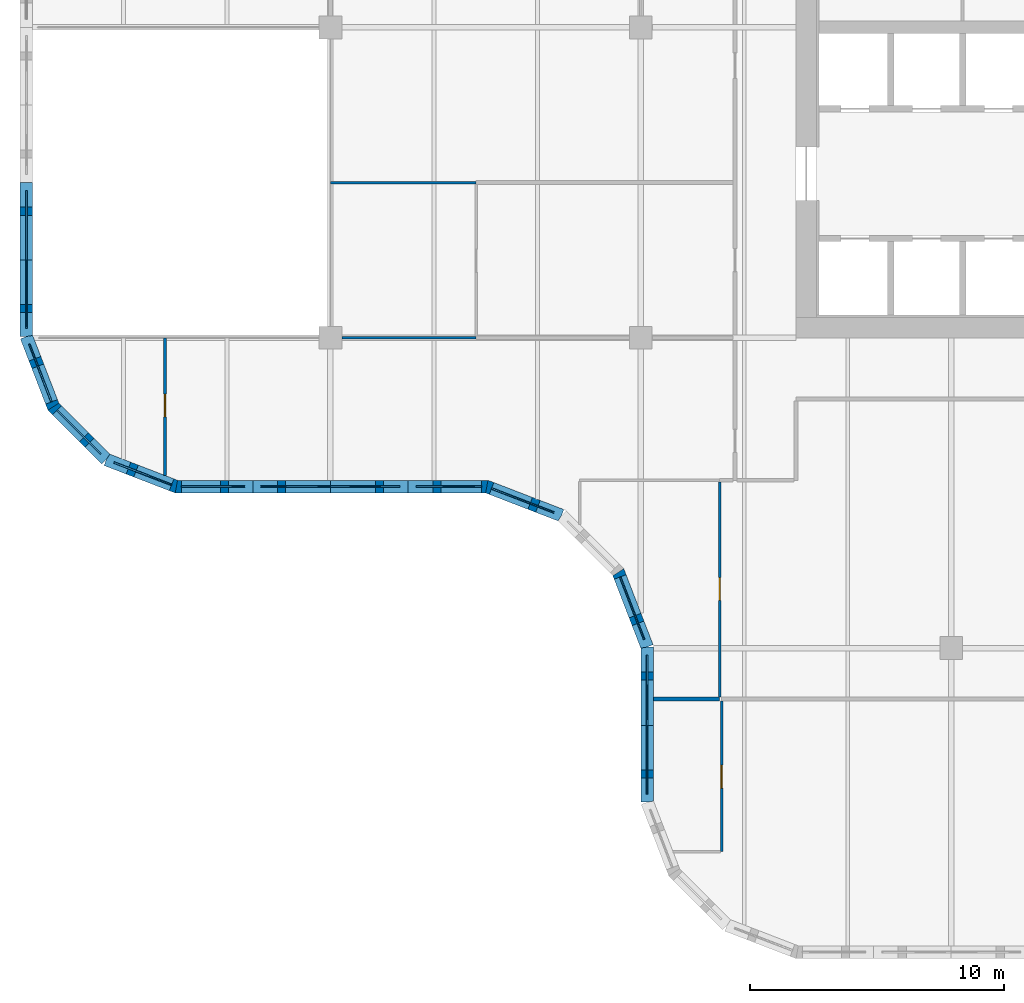
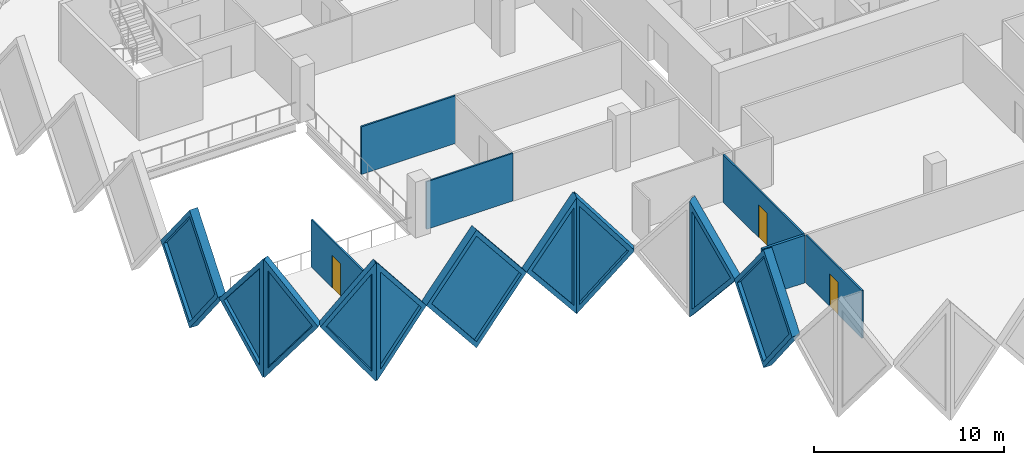
# One storey, part 4 of 19: 16 walls, 10 plates, 3 doors, 13 openings.
"""IFC4 building model written with IfcOpenShell, lengths in metres."""

from ifc_helpers import new_model, si_unit, direction, frame, frame_2d, origin, place, context, subcontext, project, spatial, polyline, rectangle, outline, extrude, faceted_brep, source, transform, mapped, material, layer, layer_set, type_object, element, fill, save


model = new_model("IFC4")

# Units and contexts
model_context = context("Model", 3, precision=1e-05, world=origin(), true_north=direction((0.0, 1.0)))
body_context = subcontext(model_context, "Body", "Model", "MODEL_VIEW")
ifc_project = project(units=[si_unit("LENGTHUNIT", "METRE"), si_unit("AREAUNIT", "SQUARE_METRE"), si_unit("VOLUMEUNIT", "CUBIC_METRE"), si_unit("PLANEANGLEUNIT", "RADIAN"), si_unit("MASSUNIT", "GRAM", prefix="KILO")], contexts=[model_context])

# Site, building, storey
site_placement = place(None, origin())
site = spatial("IfcSite", under=ifc_project, at=site_placement, CompositionType="ELEMENT")
building_placement = place(site_placement, origin())
building = spatial("IfcBuilding", under=site, at=building_placement, Name="Tessera Gate Towers", CompositionType="ELEMENT")
storey_placement = place(building_placement, frame((0.0, 0.0, 83.800048828125)))
storey = spatial("IfcBuildingStorey", under=building, at=storey_placement, Name="L20", CompositionType="ELEMENT", Elevation=83.800048828125)

# Wall, opening, door
ifc_material_1 = material(Name="Glass", Category="glass")
ifc_layer_1 = layer(ifc_material_1, 0.10009765625)
ifc_layer_set_1 = layer_set([ifc_layer_1], Name="GLAZED PARTITION 100")
wall_type_1 = type_object("IfcWallType", Name="GLAZED PARTITION 100", PredefinedType="PARTITIONING", material=ifc_layer_set_1)
wall_1_placement = place(storey_placement, frame((27.574951171875, 4.199951171875, 0.0), z_axis=(0.0, 0.0, 1.0), x_axis=(0.0, 1.0, 0.0)))
wall_1 = element("IfcWall", 1, at=wall_1_placement, inside=storey, type_object=wall_type_1, Name="T1-L20-PW-004", PredefinedType="PARTITIONING", context=body_context, shape_type="SweptSolid", body=[
    extrude(rectangle(XDim=5.924072265625, YDim=0.10009765625, at=frame_2d((2.9619140625, 0.0))), origin(), (0.0, 0.0, 1.0), 3.06689453125),
])
shared_shape_1 = source(origin(), body_context, "Body", "SweptSolid", [
    extrude(rectangle(XDim=0.89990234375, YDim=2.10009765625, at=frame_2d((0.449951171875, 1.050048828125))), frame((0.0, 0.06005859375, 0.0), z_axis=(0.0, -1.0, 0.0), x_axis=(1.0, 0.0, 0.0)), (0.0, 0.0, 1.0), 0.1201171875),
])
opening_1_placement = place(wall_1_placement, frame((2.5, 0.0, 0.0)))
opening_1 = element("IfcOpeningElement", 2, at=opening_1_placement, cuts=wall_1, Name="Opening D690-A07-07", PredefinedType="OPENING", context=body_context, shape_type="MappedRepresentation", body=[
    mapped(shared_shape_1, transform((0.0, 0.0, 0.0), scale=1.0)),
])
ifc_material_2 = material(Name="Glass in aluminium frame", Category="aluminium")
door_type = type_object("IfcDoorType", Name="GLAZED DOOR 900 NOT RATED", OperationType="NOTDEFINED", PredefinedType="DOOR", material=ifc_material_2)
shared_shape_2 = source(origin(), body_context, "Body", "SweptSolid", [
    extrude(rectangle(XDim=0.89990234375, YDim=2.10009765625, at=frame_2d((0.449951171875, 1.050048828125))), frame((0.0, 0.02490234375, 0.0), z_axis=(0.0, -1.0, 0.0), x_axis=(1.0, 0.0, 0.0)), (0.0, 0.0, 1.0), 0.050048828125),
])
door_1_placement = place(opening_1_placement, origin())
door_1 = element("IfcDoor", 3, at=door_1_placement, inside=storey, type_object=door_type, Name="T1-L20-PD-017", OperationType="SINGLE_SWING_LEFT", OverallHeight=2.10009765625, OverallWidth=0.89990234375, PredefinedType="DOOR", context=body_context, shape_type="MappedRepresentation", body=[
    mapped(shared_shape_2, transform((0.0, 0.0, 0.0), scale=1.0)),
])
fill(opening_1, door_1)

wall_2_placement = place(storey_placement, frame((27.5, 10.27587890625, 0.0), z_axis=(0.0, 0.0, 1.0), x_axis=(0.0, 1.0, 0.0)))
wall_2 = element("IfcWall", 4, at=wall_2_placement, inside=storey, type_object=wall_type_1, Name="T1-L20-PW-010", PredefinedType="PARTITIONING", context=body_context, shape_type="SweptSolid", body=[
    extrude(rectangle(XDim=8.4482421875, YDim=0.10009765625, at=frame_2d((4.22412109375, 0.0))), origin(), (0.0, 0.0, 1.0), 3.06689453125),
])
opening_2_placement = place(wall_2_placement, frame((3.800048828125, 0.0, 0.0)))
opening_2 = element("IfcOpeningElement", 5, at=opening_2_placement, cuts=wall_2, Name="Opening D690-A07-08", PredefinedType="OPENING", context=body_context, shape_type="MappedRepresentation", body=[
    mapped(shared_shape_1, transform((0.0, 0.0, 0.0), scale=1.0)),
])
door_2_placement = place(opening_2_placement, origin())
door_2 = element("IfcDoor", 6, at=door_2_placement, inside=storey, type_object=door_type, Name="T1-L20-PD-019", OperationType="SINGLE_SWING_LEFT", OverallHeight=2.10009765625, OverallWidth=0.89990234375, PredefinedType="DOOR", context=body_context, shape_type="MappedRepresentation", body=[
    mapped(shared_shape_2, transform((0.0, 0.0, 0.0), scale=1.0)),
])
fill(opening_2, door_2)

wall_3_placement = place(storey_placement, frame((5.699951171875, 18.990234375, 0.0), z_axis=(0.0, 0.0, 1.0), x_axis=(0.0, 1.0, 0.0)))
wall_3 = element("IfcWall", 7, at=wall_3_placement, inside=storey, type_object=wall_type_1, Name="T1-L20-PW-021", PredefinedType="PARTITIONING", context=body_context, shape_type="SweptSolid", body=[
    extrude(rectangle(XDim=5.40966796875, YDim=0.10009765625, at=frame_2d((2.704833984375, 0.0))), origin(), (0.0, 0.0, 1.0), 3.06689453125),
])
opening_3_placement = place(wall_3_placement, frame((2.300048828125, 0.0, 0.0)))
opening_3 = element("IfcOpeningElement", 8, at=opening_3_placement, cuts=wall_3, Name="Opening D690-A07-02", PredefinedType="OPENING", context=body_context, shape_type="MappedRepresentation", body=[
    mapped(shared_shape_1, transform((0.0, 0.0, 0.0), scale=1.0)),
])
door_3_placement = place(opening_3_placement, origin())
door_3 = element("IfcDoor", 9, at=door_3_placement, inside=storey, type_object=door_type, Name="T1-L20-PD-006", OperationType="SINGLE_SWING_LEFT", OverallHeight=2.10009765625, OverallWidth=0.89990234375, PredefinedType="DOOR", context=body_context, shape_type="MappedRepresentation", body=[
    mapped(shared_shape_2, transform((0.0, 0.0, 0.0), scale=1.0)),
])
fill(opening_3, door_3)

# Walls
wall_4_placement = place(storey_placement, frame((12.65087890625, 24.39990234375, 0.0), z_axis=(0.0, 0.0, 1.0), x_axis=(1.0, 0.0, 0.0)))
element("IfcWall", 10, at=wall_4_placement, inside=storey, type_object=wall_type_1, Name="T1-L20-PW-026", PredefinedType="PARTITIONING", context=body_context, shape_type="SweptSolid", body=[
    extrude(rectangle(XDim=5.273193359375, YDim=0.10009765625, at=frame_2d((2.63671875, 0.0))), origin(), (0.0, 0.0, 1.0), 3.06689453125),
])
wall_5_placement = place(storey_placement, frame((12.199951171875, 30.5, 0.0), z_axis=(0.0, 0.0, 1.0), x_axis=(1.0, 0.0, 0.0)))
element("IfcWall", 11, at=wall_5_placement, inside=storey, type_object=wall_type_1, Name="T1-L20-PW-030", PredefinedType="PARTITIONING", context=body_context, shape_type="SweptSolid", body=[
    extrude(rectangle(XDim=5.72412109375, YDim=0.10009765625, at=frame_2d((2.862060546875, 0.0))), origin(), (0.0, 0.0, 1.0), 3.06689453125),
])
ifc_material_3 = material(Name="Gypsum board on steel studs, mineral wool", Category="steel")
ifc_layer_2 = layer(ifc_material_3, 0.14990234375)
ifc_layer_set_2 = layer_set([ifc_layer_2], Name="TENANCY WALL 150")
wall_type_2 = type_object("IfcWallType", Name="TENANCY WALL 150", PredefinedType="PARTITIONING", material=ifc_layer_set_2)
wall_6_placement = place(storey_placement, frame((24.89990234375, 10.199951171875, 0.0), z_axis=(0.0, 0.0, 1.0), x_axis=(1.0, 0.0, 0.0)))
element("IfcWall", 12, at=wall_6_placement, inside=storey, type_object=wall_type_2, Name="T1-L20-PW-008", PredefinedType="PARTITIONING", context=body_context, shape_type="SweptSolid", body=[
    extrude(rectangle(XDim=2.60009765625, YDim=0.14990234375, at=frame_2d((1.300048828125, 0.0))), origin(), (0.0, 0.0, 1.0), 3.06689453125),
])

# Wall, opening, plate
ifc_material_4 = material(Name="Precast concrete C60/75 white", Category="concrete")
ifc_layer_3 = layer(ifc_material_4, 0.5)
ifc_layer_set_3 = layer_set([ifc_layer_3], Name="TS1 tessera")
wall_type_3 = type_object("IfcWallType", Name="TS1 tessera", PredefinedType="SOLIDWALL", material=ifc_layer_set_3)
shared_shape_3 = source(origin(), body_context, "Body", "SweptSolid", [
    extrude(outline(polyline([(3.050048828125, 0.0), (6.10009765625, 3.800048828125), (3.050048828125, 7.60009765625), (0.0, 3.800048828125), (3.050048828125, 0.0)])), frame((0.0, 0.25, 0.0), z_axis=(0.0, -1.0, 0.0), x_axis=(1.0, 0.0, 0.0)), (0.0, 0.0, 1.0), 0.5),
])
wall_7_placement = place(storey_placement, frame((9.14990234375, 18.550048828125, -3.800048828125), z_axis=(0.0, 0.0, 1.0), x_axis=(1.0, 0.0, 0.0)))
wall_7 = element("IfcWall", 13, at=wall_7_placement, inside=storey, type_object=wall_type_3, Name="Precast tessera T1 TS1-0320", PredefinedType="SOLIDWALL", context=body_context, shape_type="MappedRepresentation", body=[
    mapped(shared_shape_3, transform((0.0, 0.0, 0.0), scale=1.0)),
])
shared_shape_4 = source(origin(), body_context, "Body", "SweptSolid", [
    extrude(outline(polyline([(3.050048828125, 0.3994140625), (5.779541015625, 3.800048828125), (3.050048828125, 7.20068359375), (0.320556640625, 3.800048828125), (3.050048828125, 0.3994140625)])), frame((0.0, 0.260009765625, 0.0), z_axis=(0.0, -1.0, 0.0), x_axis=(1.0, 0.0, 0.0)), (0.0, 0.0, 1.0), 0.52001953125),
])
opening_4_placement = place(wall_7_placement, origin())
opening_4 = element("IfcOpeningElement", 14, at=opening_4_placement, cuts=wall_7, Name="Opening T1-PL2-0650", PredefinedType="OPENING", context=body_context, shape_type="MappedRepresentation", body=[
    mapped(shared_shape_4, transform((0.0, 0.0, 0.0), scale=1.0)),
])
ifc_material_5 = material(Name="Low-e laminated glass", Category="glass")
ifc_layer_4 = layer(ifc_material_5, 0.06005859375)
ifc_layer_set_4 = layer_set([ifc_layer_4], Name="PL2 rhombic pane")
plate_type = type_object("IfcPlateType", Name="PL2 rhombic pane", PredefinedType="SHEET", material=ifc_layer_set_4)
shared_shape_5 = source(origin(), body_context, "Body", "SweptSolid", [
    extrude(outline(polyline([(3.050048828125, 0.3994140625), (5.779541015625, 3.800048828125), (3.050048828125, 7.20068359375), (0.320556640625, 3.800048828125), (3.050048828125, 0.3994140625)])), frame((0.0, 0.030029296875, 0.0), z_axis=(0.0, -1.0, 0.0), x_axis=(1.0, 0.0, 0.0)), (0.0, 0.0, 1.0), 0.06005859375),
])
plate_1_placement = place(opening_4_placement, origin())
plate_1 = element("IfcPlate", 15, at=plate_1_placement, inside=storey, type_object=plate_type, Name="Glass pane T1 PL2-0650", PredefinedType="SHEET", context=body_context, shape_type="MappedRepresentation", body=[
    mapped(shared_shape_5, transform((0.0, 0.0, 0.0), scale=1.0)),
])
fill(opening_4, plate_1)

shared_shape_6 = source(origin(), body_context, "Body", "Brep", [
    faceted_brep([(3.050048828125, -0.25, 0.0), (6.053466796875, -0.25, 3.800048828125), (3.050048828125, -0.25, 7.60009765625), (0.0, -0.25, 3.800048828125), (0.0, 0.25, 3.800048828125), (3.050048828125, 0.25, 7.60009765625), (6.0068359375, 0.25, 3.85888671875), (6.0068359375, 0.25, 3.7412109375), (3.050048828125, 0.25, 0.0), (6.053466796875, 0.0, 3.800048828125)], [[[0, 1, 2, 3]], [[4, 5, 6, 7, 8]], [[8, 7, 9, 1, 0]], [[6, 5, 2, 1, 9]], [[5, 4, 3, 2]], [[4, 8, 0, 3]], [[9, 7, 6]]]),
])
wall_8_placement = place(storey_placement, frame((0.25, 30.5, -3.800048828125), z_axis=(0.0, 0.0, 1.0), x_axis=(0.0, -1.0, 0.0)))
wall_8 = element("IfcWall", 16, at=wall_8_placement, inside=storey, type_object=wall_type_3, Name="Precast tessera T1 TS1-0319", PredefinedType="SOLIDWALL", context=body_context, shape_type="MappedRepresentation", body=[
    mapped(shared_shape_6, transform((0.0, 0.0, 0.0), scale=1.0)),
])
shared_shape_7 = source(origin(), body_context, "Body", "SweptSolid", [
    extrude(outline(polyline([(3.048583984375, 0.4013671875), (5.73486328125, 3.800048828125), (3.048583984375, 7.19873046875), (0.320556640625, 3.800048828125), (3.048583984375, 0.4013671875)])), frame((0.0, 0.260009765625, 0.0), z_axis=(0.0, -1.0, 0.0), x_axis=(1.0, 0.0, 0.0)), (0.0, 0.0, 1.0), 0.52001953125),
])
opening_5_placement = place(wall_8_placement, origin())
opening_5 = element("IfcOpeningElement", 17, at=opening_5_placement, cuts=wall_8, Name="Opening T1-PL2-0645", PredefinedType="OPENING", context=body_context, shape_type="MappedRepresentation", body=[
    mapped(shared_shape_7, transform((0.0, 0.0, 0.0), scale=1.0)),
])
shared_shape_8 = source(origin(), body_context, "Body", "SweptSolid", [
    extrude(outline(polyline([(3.048583984375, 0.4013671875), (5.73486328125, 3.800048828125), (3.048583984375, 7.19873046875), (0.320556640625, 3.800048828125), (3.048583984375, 0.4013671875)])), frame((0.0, 0.030029296875, 0.0), z_axis=(0.0, -1.0, 0.0), x_axis=(1.0, 0.0, 0.0)), (0.0, 0.0, 1.0), 0.06005859375),
])
plate_2_placement = place(opening_5_placement, origin())
plate_2 = element("IfcPlate", 18, at=plate_2_placement, inside=storey, type_object=plate_type, Name="Glass pane T1 PL2-0645", PredefinedType="SHEET", context=body_context, shape_type="MappedRepresentation", body=[
    mapped(shared_shape_8, transform((0.0, 0.0, 0.0), scale=1.0)),
])
fill(opening_5, plate_2)

ifc_material_6 = material(Name="Precast concrete C60/75 white", Category="concrete")
ifc_layer_5 = layer(ifc_material_6, 0.5)
ifc_layer_set_5 = layer_set([ifc_layer_5], Name="TS3 corner tessera")
wall_type_4 = type_object("IfcWallType", Name="TS3 corner tessera", PredefinedType="SOLIDWALL", material=ifc_layer_set_5)
shared_shape_9 = source(origin(), body_context, "Body", "Brep", [
    faceted_brep([(0.052978515625, -0.25, 0.0), (2.9970703125, -0.25, 3.800048828125), (0.052978515625, -0.25, 7.60009765625), (0.0, -0.25, 7.531982421875), (0.0, -0.25, 0.068115234375), (0.10595703125, 0.25, 7.53173828125), (2.944091796875, 0.25, 3.8681640625), (2.944091796875, 0.25, 3.73193359375), (0.10595703125, 0.25, 0.068359375), (2.9970703125, 0.000244140625, 3.800048828125), (0.052978515625, 0.0, 0.0), (0.052978515625, 0.0, 7.60009765625)], [[[0, 1, 2, 3, 4]], [[5, 6, 7, 8]], [[8, 7, 9, 1, 0, 10]], [[6, 5, 11, 2, 1, 9]], [[3, 2, 11]], [[10, 0, 4]], [[8, 10, 4, 3, 11, 5]], [[9, 7, 6]]]),
])
wall_9_placement = place(storey_placement, frame((1.2744140625, 21.731201171875, -3.800048828125), z_axis=(0.0, 0.0, 1.0), x_axis=(0.707147509625, -0.707066050402, 0.0)))
wall_9 = element("IfcWall", 19, at=wall_9_placement, inside=storey, type_object=wall_type_4, Name="Precast corner tessera T1 TS3-0448", PredefinedType="SOLIDWALL", context=body_context, shape_type="MappedRepresentation", body=[
    mapped(shared_shape_9, transform((0.0, 0.0, 0.0), scale=1.0)),
])
shared_shape_10 = source(origin(), body_context, "Body", "SweptSolid", [
    extrude(outline(polyline([(0.2529296875, 0.666259765625), (2.680908203125, 3.800048828125), (0.2529296875, 6.93359375), (0.2529296875, 0.666259765625)])), frame((0.0, 0.260009765625, 0.0), z_axis=(0.0, -1.0, 0.0), x_axis=(1.0, 0.0, 0.0)), (0.0, 0.0, 1.0), 0.52001953125),
])
opening_6_placement = place(wall_9_placement, origin())
opening_6 = element("IfcOpeningElement", 20, at=opening_6_placement, cuts=wall_9, Name="Opening T1-PL2-0647", PredefinedType="OPENING", context=body_context, shape_type="MappedRepresentation", body=[
    mapped(shared_shape_10, transform((0.0, 0.0, 0.0), scale=1.0)),
])
shared_shape_11 = source(origin(), body_context, "Body", "SweptSolid", [
    extrude(outline(polyline([(0.2529296875, 0.666259765625), (2.680908203125, 3.800048828125), (0.2529296875, 6.93359375), (0.2529296875, 0.666259765625)])), frame((0.0, 0.030029296875, 0.0), z_axis=(0.0, -1.0, 0.0), x_axis=(1.0, 0.0, 0.0)), (0.0, 0.0, 1.0), 0.06005859375),
])
plate_3_placement = place(opening_6_placement, origin())
plate_3 = element("IfcPlate", 21, at=plate_3_placement, inside=storey, type_object=plate_type, Name="Glass pane T1 PL2-0647", PredefinedType="SHEET", context=body_context, shape_type="MappedRepresentation", body=[
    mapped(shared_shape_11, transform((0.0, 0.0, 0.0), scale=1.0)),
])
fill(opening_6, plate_3)

shared_shape_12 = source(origin(), body_context, "Body", "Brep", [
    faceted_brep([(2.950439453125, -0.25, 0.0), (2.9970703125, -0.25, 0.05908203125), (2.9970703125, -0.25, 7.541015625), (2.950439453125, -0.25, 7.60009765625), (0.0, -0.25, 3.800048828125), (0.052978515625, 0.25, 3.8681640625), (2.904052734375, 0.25, 7.540283203125), (2.904052734375, 0.25, 0.059814453125), (0.052978515625, 0.25, 3.73193359375), (2.950439453125, 0.00048828125, 0.0), (2.950439453125, 0.00048828125, 7.60009765625), (0.0, 0.0, 3.800048828125)], [[[0, 1, 2, 3, 4]], [[5, 6, 7, 8]], [[1, 0, 9]], [[10, 3, 2]], [[6, 5, 11, 4, 3, 10]], [[8, 7, 9, 0, 4, 11]], [[8, 11, 5]], [[1, 9, 7, 6, 10, 2]]]),
])
wall_10_placement = place(storey_placement, frame((3.393798828125, 19.61181640625, -3.800048828125), z_axis=(0.0, 0.0, 1.0), x_axis=(0.932990326376, -0.359901446078, 0.0)))
wall_10 = element("IfcWall", 22, at=wall_10_placement, inside=storey, type_object=wall_type_4, Name="Precast corner tessera T1 TS3-0449", PredefinedType="SOLIDWALL", context=body_context, shape_type="MappedRepresentation", body=[
    mapped(shared_shape_12, transform((0.0, 0.0, 0.0), scale=1.0)),
])
shared_shape_13 = source(origin(), body_context, "Body", "SweptSolid", [
    extrude(outline(polyline([(2.75048828125, 6.934814453125), (0.31640625, 3.800048828125), (2.75048828125, 0.665283203125), (2.75048828125, 6.934814453125)])), frame((0.0, 0.260009765625, 0.0), z_axis=(0.0, -1.0, 0.0), x_axis=(1.0, 0.0, 0.0)), (0.0, 0.0, 1.0), 0.52001953125),
])
opening_7_placement = place(wall_10_placement, origin())
opening_7 = element("IfcOpeningElement", 23, at=opening_7_placement, cuts=wall_10, Name="Opening T1-PL2-0648", PredefinedType="OPENING", context=body_context, shape_type="MappedRepresentation", body=[
    mapped(shared_shape_13, transform((0.0, 0.0, 0.0), scale=1.0)),
])
shared_shape_14 = source(origin(), body_context, "Body", "SweptSolid", [
    extrude(outline(polyline([(2.75048828125, 6.934814453125), (0.31640625, 3.800048828125), (2.75048828125, 0.665283203125), (2.75048828125, 6.934814453125)])), frame((0.0, 0.030029296875, 0.0), z_axis=(0.0, -1.0, 0.0), x_axis=(1.0, 0.0, 0.0)), (0.0, 0.0, 1.0), 0.06005859375),
])
plate_4_placement = place(opening_7_placement, origin())
plate_4 = element("IfcPlate", 24, at=plate_4_placement, inside=storey, type_object=plate_type, Name="Glass pane T1 PL2-0648", PredefinedType="SHEET", context=body_context, shape_type="MappedRepresentation", body=[
    mapped(shared_shape_14, transform((0.0, 0.0, 0.0), scale=1.0)),
])
fill(opening_7, plate_4)

shared_shape_15 = source(origin(), body_context, "Body", "Brep", [
    faceted_brep([(0.046630859375, -0.25, 0.0), (3.050048828125, -0.25, 3.800048828125), (0.046630859375, -0.25, 7.60009765625), (0.0, -0.25, 7.5400390625), (0.0, -0.25, 0.06005859375), (0.09326171875, 0.25, 7.541259765625), (3.050048828125, 0.25, 3.800048828125), (0.09326171875, 0.25, 0.058837890625), (0.046630859375, 0.0, 0.0), (0.046630859375, 0.0, 7.60009765625)], [[[0, 1, 2, 3, 4]], [[5, 6, 7]], [[7, 6, 1, 0, 8]], [[6, 5, 9, 2, 1]], [[3, 2, 9]], [[8, 0, 4]], [[7, 8, 4, 3, 9, 5]]]),
])
wall_11_placement = place(storey_placement, frame((6.099853515625, 18.550048828125, -3.800048828125), z_axis=(0.0, 0.0, 1.0), x_axis=(1.0, 0.0, 0.0)))
wall_11 = element("IfcWall", 25, at=wall_11_placement, inside=storey, type_object=wall_type_4, Name="Precast corner tessera T1 TS3-0450", PredefinedType="SOLIDWALL", context=body_context, shape_type="MappedRepresentation", body=[
    mapped(shared_shape_15, transform((0.0, 0.0, 0.0), scale=1.0)),
])
shared_shape_16 = source(origin(), body_context, "Body", "SweptSolid", [
    extrude(outline(polyline([(0.24658203125, 0.65625), (2.7314453125, 3.800048828125), (0.24658203125, 6.94384765625), (0.24658203125, 0.65625)])), frame((0.0, 0.260009765625, 0.0), z_axis=(0.0, -1.0, 0.0), x_axis=(1.0, 0.0, 0.0)), (0.0, 0.0, 1.0), 0.52001953125),
])
opening_8_placement = place(wall_11_placement, origin())
opening_8 = element("IfcOpeningElement", 26, at=opening_8_placement, cuts=wall_11, Name="Opening T1-PL2-0649", PredefinedType="OPENING", context=body_context, shape_type="MappedRepresentation", body=[
    mapped(shared_shape_16, transform((0.0, 0.0, 0.0), scale=1.0)),
])
shared_shape_17 = source(origin(), body_context, "Body", "SweptSolid", [
    extrude(outline(polyline([(0.24658203125, 0.65625), (2.7314453125, 3.800048828125), (0.24658203125, 6.94384765625), (0.24658203125, 0.65625)])), frame((0.0, 0.030029296875, 0.0), z_axis=(0.0, -1.0, 0.0), x_axis=(1.0, 0.0, 0.0)), (0.0, 0.0, 1.0), 0.06005859375),
])
plate_5_placement = place(opening_8_placement, origin())
plate_5 = element("IfcPlate", 27, at=plate_5_placement, inside=storey, type_object=plate_type, Name="Glass pane T1 PL2-0649", PredefinedType="SHEET", context=body_context, shape_type="MappedRepresentation", body=[
    mapped(shared_shape_17, transform((0.0, 0.0, 0.0), scale=1.0)),
])
fill(opening_8, plate_5)

shared_shape_18 = source(origin(), body_context, "Body", "Brep", [
    faceted_brep([(2.950439453125, -0.25, 0.0), (3.00341796875, -0.25, 0.068359375), (3.00341796875, -0.25, 7.53173828125), (2.950439453125, -0.25, 7.60009765625), (0.0, -0.25, 3.800048828125), (0.046630859375, 0.25, 3.860107421875), (2.897705078125, 0.25, 7.531982421875), (2.897705078125, 0.25, 0.068115234375), (0.046630859375, 0.25, 3.739990234375), (2.950439453125, 0.00048828125, 0.0), (2.950439453125, 0.00048828125, 7.60009765625), (0.0, 0.0, 3.800048828125)], [[[0, 1, 2, 3, 4]], [[5, 6, 7, 8]], [[1, 0, 9]], [[10, 3, 2]], [[6, 5, 11, 4, 3, 10]], [[8, 7, 9, 0, 4, 11]], [[8, 11, 5]], [[1, 9, 7, 6, 10, 2]]]),
])
wall_12_placement = place(storey_placement, frame((0.25, 24.446533203125, -3.800048828125), z_axis=(0.0, 0.0, 1.0), x_axis=(0.35992665181, -0.932980602862, 0.0)))
wall_12 = element("IfcWall", 28, at=wall_12_placement, inside=storey, type_object=wall_type_4, Name="Precast corner tessera T1 TS3-0447", PredefinedType="SOLIDWALL", context=body_context, shape_type="MappedRepresentation", body=[
    mapped(shared_shape_18, transform((0.0, 0.0, 0.0), scale=1.0)),
])
opening_9_placement = place(wall_12_placement, origin())
opening_9 = element("IfcOpeningElement", 29, at=opening_9_placement, cuts=wall_12, Name="Opening T1-PL2-0646", PredefinedType="OPENING", context=body_context, shape_type="MappedRepresentation", body=[
    mapped(shared_shape_13, transform((0.0, 0.0, 0.0), scale=1.0)),
])
plate_6_placement = place(opening_9_placement, origin())
plate_6 = element("IfcPlate", 30, at=plate_6_placement, inside=storey, type_object=plate_type, Name="Glass pane T1 PL2-0646", PredefinedType="SHEET", context=body_context, shape_type="MappedRepresentation", body=[
    mapped(shared_shape_14, transform((0.0, 0.0, 0.0), scale=1.0)),
])
fill(opening_9, plate_6)

shared_shape_19 = source(origin(), body_context, "Body", "Brep", [
    faceted_brep([(3.050048828125, -0.25, 7.543212890625), (0.0, -0.25, 3.800048828125), (3.050048828125, -0.25, 0.056884765625), (0.0, 0.25, 3.800048828125), (3.096435546875, 0.25, 7.60009765625), (3.14306640625, 0.25, 7.543701171875), (3.14306640625, 0.25, 0.056396484375), (3.096435546875, 0.25, 0.0), (3.096435546875, -0.00048828125, 0.0), (3.096435546875, -0.00048828125, 7.60009765625)], [[[0, 1, 2]], [[3, 4, 5, 6, 7]], [[7, 6, 8]], [[5, 4, 9]], [[4, 3, 1, 0, 9]], [[3, 7, 8, 2, 1]], [[2, 8, 6, 5, 9, 0]]]),
])
wall_13_placement = place(storey_placement, frame((15.25, 18.550048828125, -3.800048828125), z_axis=(0.0, 0.0, 1.0), x_axis=(1.0, 0.0, 0.0)))
wall_13 = element("IfcWall", 31, at=wall_13_placement, inside=storey, type_object=wall_type_4, Name="Precast corner tessera T1 TS3-0451", PredefinedType="SOLIDWALL", context=body_context, shape_type="MappedRepresentation", body=[
    mapped(shared_shape_19, transform((0.0, 0.0, 0.0), scale=1.0)),
])
shared_shape_20 = source(origin(), body_context, "Body", "SweptSolid", [
    extrude(outline(polyline([(2.896484375, 6.958740234375), (0.322509765625, 3.800048828125), (2.896484375, 0.64111328125), (2.896484375, 6.958740234375)])), frame((0.0, 0.260009765625, 0.0), z_axis=(0.0, -1.0, 0.0), x_axis=(1.0, 0.0, 0.0)), (0.0, 0.0, 1.0), 0.52001953125),
])
opening_10_placement = place(wall_13_placement, origin())
opening_10 = element("IfcOpeningElement", 32, at=opening_10_placement, cuts=wall_13, Name="Opening T1-PL2-0651", PredefinedType="OPENING", context=body_context, shape_type="MappedRepresentation", body=[
    mapped(shared_shape_20, transform((0.0, 0.0, 0.0), scale=1.0)),
])
shared_shape_21 = source(origin(), body_context, "Body", "SweptSolid", [
    extrude(outline(polyline([(2.896484375, 6.958740234375), (0.322509765625, 3.800048828125), (2.896484375, 0.64111328125), (2.896484375, 6.958740234375)])), frame((0.0, 0.030029296875, 0.0), z_axis=(0.0, -1.0, 0.0), x_axis=(1.0, 0.0, 0.0)), (0.0, 0.0, 1.0), 0.06005859375),
])
plate_7_placement = place(opening_10_placement, origin())
plate_7 = element("IfcPlate", 33, at=plate_7_placement, inside=storey, type_object=plate_type, Name="Glass pane T1 PL2-0651", PredefinedType="SHEET", context=body_context, shape_type="MappedRepresentation", body=[
    mapped(shared_shape_21, transform((0.0, 0.0, 0.0), scale=1.0)),
])
fill(opening_10, plate_7)

shared_shape_22 = source(origin(), body_context, "Body", "Brep", [
    faceted_brep([(0.09326171875, -0.25, 0.05615234375), (3.14306640625, -0.25, 3.736328125), (3.14306640625, -0.25, 3.86376953125), (0.09326171875, -0.25, 7.5439453125), (0.0, 0.25, 7.54296875), (0.046630859375, 0.25, 7.60009765625), (3.196044921875, 0.25, 3.800048828125), (0.046630859375, 0.25, 0.0), (0.0, 0.25, 0.05712890625), (3.196044921875, -0.000244140625, 3.800048828125), (0.046630859375, 0.0, 0.0), (0.046630859375, 0.0, 7.60009765625)], [[[0, 1, 2, 3]], [[4, 5, 6, 7, 8]], [[7, 6, 9, 1, 0, 10]], [[6, 5, 11, 3, 2, 9]], [[5, 4, 11]], [[8, 7, 10]], [[8, 10, 0, 3, 11, 4]], [[1, 9, 2]]]),
])
wall_14_placement = place(storey_placement, frame((18.302978515625, 18.56689453125, -3.800048828125), z_axis=(0.0, 0.0, 1.0), x_axis=(0.932978940178, -0.359930961693, 0.0)))
wall_14 = element("IfcWall", 34, at=wall_14_placement, inside=storey, type_object=wall_type_4, Name="Precast corner tessera T1 TS3-0452", PredefinedType="SOLIDWALL", context=body_context, shape_type="MappedRepresentation", body=[
    mapped(shared_shape_22, transform((0.0, 0.0, 0.0), scale=1.0)),
])
shared_shape_23 = source(origin(), body_context, "Body", "SweptSolid", [
    extrude(outline(polyline([(0.24658203125, 0.633056640625), (2.871337890625, 3.800048828125), (0.24658203125, 6.966796875), (0.24658203125, 0.633056640625)])), frame((0.0, 0.260009765625, 0.0), z_axis=(0.0, -1.0, 0.0), x_axis=(1.0, 0.0, 0.0)), (0.0, 0.0, 1.0), 0.52001953125),
])
opening_11_placement = place(wall_14_placement, origin())
opening_11 = element("IfcOpeningElement", 35, at=opening_11_placement, cuts=wall_14, Name="Opening T1-PL2-0652", PredefinedType="OPENING", context=body_context, shape_type="MappedRepresentation", body=[
    mapped(shared_shape_23, transform((0.0, 0.0, 0.0), scale=1.0)),
])
shared_shape_24 = source(origin(), body_context, "Body", "SweptSolid", [
    extrude(outline(polyline([(0.24658203125, 0.633056640625), (2.871337890625, 3.800048828125), (0.24658203125, 6.966796875), (0.24658203125, 0.633056640625)])), frame((0.0, 0.030029296875, 0.0), z_axis=(0.0, -1.0, 0.0), x_axis=(1.0, 0.0, 0.0)), (0.0, 0.0, 1.0), 0.06005859375),
])
plate_8_placement = place(opening_11_placement, origin())
plate_8 = element("IfcPlate", 36, at=plate_8_placement, inside=storey, type_object=plate_type, Name="Glass pane T1 PL2-0652", PredefinedType="SHEET", context=body_context, shape_type="MappedRepresentation", body=[
    mapped(shared_shape_24, transform((0.0, 0.0, 0.0), scale=1.0)),
])
fill(opening_11, plate_8)

shared_shape_25 = source(origin(), body_context, "Body", "Brep", [
    faceted_brep([(0.10595703125, -0.25, 0.06396484375), (3.156005859375, -0.25, 3.743896484375), (3.156005859375, -0.25, 3.856201171875), (0.10595703125, -0.25, 7.5361328125), (0.0, 0.25, 7.536376953125), (0.052978515625, 0.25, 7.60009765625), (3.202392578125, 0.25, 3.800048828125), (0.052978515625, 0.25, 0.0), (0.0, 0.25, 0.063720703125), (3.202392578125, -0.000244140625, 3.800048828125), (0.052978515625, 0.0, 0.0), (0.052978515625, 0.0, 7.60009765625)], [[[0, 1, 2, 3]], [[4, 5, 6, 7, 8]], [[7, 6, 9, 1, 0, 10]], [[6, 5, 11, 3, 2, 9]], [[5, 4, 11]], [[8, 7, 10]], [[8, 10, 0, 3, 11, 4]], [[1, 9, 2]]]),
])
wall_15_placement = place(storey_placement, frame((23.497314453125, 15.234375, -3.800048828125), z_axis=(0.0, 0.0, 1.0), x_axis=(0.359913782069, -0.932985567668, 0.0)))
wall_15 = element("IfcWall", 37, at=wall_15_placement, inside=storey, type_object=wall_type_4, Name="Precast corner tessera T1 TS3-0454", PredefinedType="SOLIDWALL", context=body_context, shape_type="MappedRepresentation", body=[
    mapped(shared_shape_25, transform((0.0, 0.0, 0.0), scale=1.0)),
])
shared_shape_26 = source(origin(), body_context, "Body", "SweptSolid", [
    extrude(outline(polyline([(0.2529296875, 0.633056640625), (2.877685546875, 3.800048828125), (0.2529296875, 6.966796875), (0.2529296875, 0.633056640625)])), frame((0.0, 0.260009765625, 0.0), z_axis=(0.0, -1.0, 0.0), x_axis=(1.0, 0.0, 0.0)), (0.0, 0.0, 1.0), 0.52001953125),
])
opening_12_placement = place(wall_15_placement, origin())
opening_12 = element("IfcOpeningElement", 38, at=opening_12_placement, cuts=wall_15, Name="Opening T1-PL2-0654", PredefinedType="OPENING", context=body_context, shape_type="MappedRepresentation", body=[
    mapped(shared_shape_26, transform((0.0, 0.0, 0.0), scale=1.0)),
])
shared_shape_27 = source(origin(), body_context, "Body", "SweptSolid", [
    extrude(outline(polyline([(0.2529296875, 0.633056640625), (2.877685546875, 3.800048828125), (0.2529296875, 6.966796875), (0.2529296875, 0.633056640625)])), frame((0.0, 0.030029296875, 0.0), z_axis=(0.0, -1.0, 0.0), x_axis=(1.0, 0.0, 0.0)), (0.0, 0.0, 1.0), 0.06005859375),
])
plate_9_placement = place(opening_12_placement, origin())
plate_9 = element("IfcPlate", 39, at=plate_9_placement, inside=storey, type_object=plate_type, Name="Glass pane T1 PL2-0654", PredefinedType="SHEET", context=body_context, shape_type="MappedRepresentation", body=[
    mapped(shared_shape_27, transform((0.0, 0.0, 0.0), scale=1.0)),
])
fill(opening_12, plate_9)

shared_shape_28 = source(origin(), body_context, "Body", "Brep", [
    faceted_brep([(3.096435546875, -0.25, 0.0), (6.10009765625, -0.25, 3.800048828125), (3.096435546875, -0.25, 7.60009765625), (0.046630859375, -0.25, 3.857177734375), (0.046630859375, -0.25, 3.742919921875), (0.0, 0.25, 3.800048828125), (3.096435546875, 0.25, 7.60009765625), (6.053466796875, 0.25, 3.859130859375), (6.053466796875, 0.25, 3.740966796875), (3.096435546875, 0.25, 0.0), (6.10009765625, -0.00048828125, 3.800048828125), (0.0, 0.0, 3.800048828125)], [[[0, 1, 2, 3, 4]], [[5, 6, 7, 8, 9]], [[9, 8, 10, 1, 0]], [[7, 6, 2, 1, 10]], [[6, 5, 11, 3, 2]], [[5, 9, 0, 4, 11]], [[11, 4, 3]], [[10, 8, 7]]]),
])
wall_16_placement = place(storey_placement, frame((24.64990234375, 12.24658203125, -3.800048828125), z_axis=(0.0, 0.0, 1.0), x_axis=(0.0, -1.0, 0.0)))
wall_16 = element("IfcWall", 40, at=wall_16_placement, inside=storey, type_object=wall_type_3, Name="Precast tessera T1 TS1-0321", PredefinedType="SOLIDWALL", context=body_context, shape_type="MappedRepresentation", body=[
    mapped(shared_shape_28, transform((0.0, 0.0, 0.0), scale=1.0)),
])
shared_shape_29 = source(origin(), body_context, "Body", "SweptSolid", [
    extrude(outline(polyline([(3.093505859375, 0.3994140625), (5.78125, 3.800048828125), (3.093505859375, 7.20068359375), (0.322509765625, 3.800048828125), (3.093505859375, 0.3994140625)])), frame((0.0, 0.260009765625, 0.0), z_axis=(0.0, -1.0, 0.0), x_axis=(1.0, 0.0, 0.0)), (0.0, 0.0, 1.0), 0.52001953125),
])
opening_13_placement = place(wall_16_placement, origin())
opening_13 = element("IfcOpeningElement", 41, at=opening_13_placement, cuts=wall_16, Name="Opening T1-PL2-0655", PredefinedType="OPENING", context=body_context, shape_type="MappedRepresentation", body=[
    mapped(shared_shape_29, transform((0.0, 0.0, 0.0), scale=1.0)),
])
shared_shape_30 = source(origin(), body_context, "Body", "SweptSolid", [
    extrude(outline(polyline([(3.093505859375, 0.3994140625), (5.78125, 3.800048828125), (3.093505859375, 7.20068359375), (0.322509765625, 3.800048828125), (3.093505859375, 0.3994140625)])), frame((0.0, 0.030029296875, 0.0), z_axis=(0.0, -1.0, 0.0), x_axis=(1.0, 0.0, 0.0)), (0.0, 0.0, 1.0), 0.06005859375),
])
plate_10_placement = place(opening_13_placement, origin())
plate_10 = element("IfcPlate", 42, at=plate_10_placement, inside=storey, type_object=plate_type, Name="Glass pane T1 PL2-0655", PredefinedType="SHEET", context=body_context, shape_type="MappedRepresentation", body=[
    mapped(shared_shape_30, transform((0.0, 0.0, 0.0), scale=1.0)),
])
fill(opening_13, plate_10)

save(model, "model.ifc")
